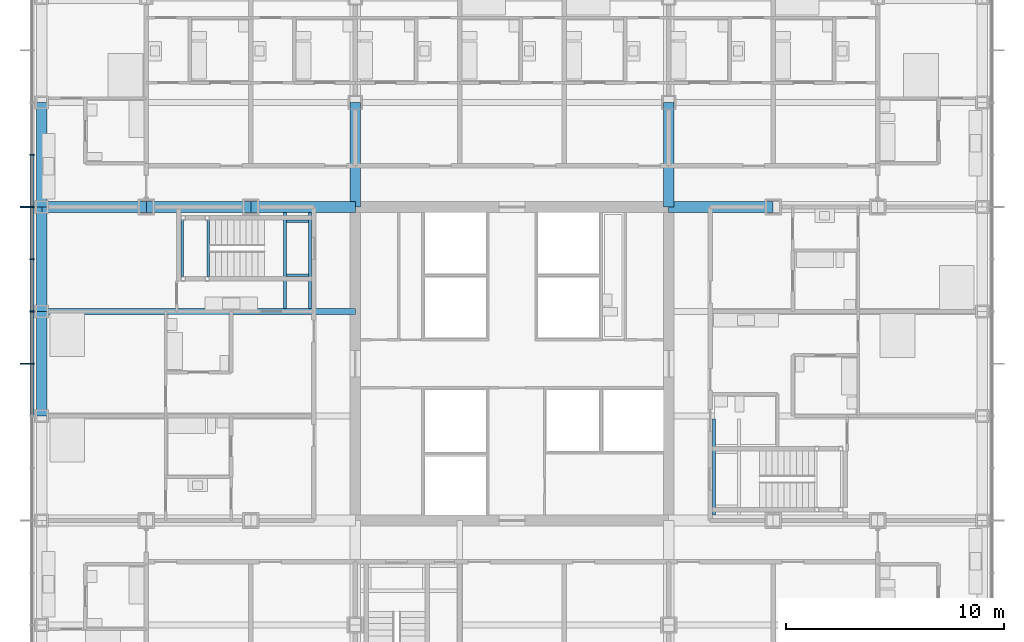
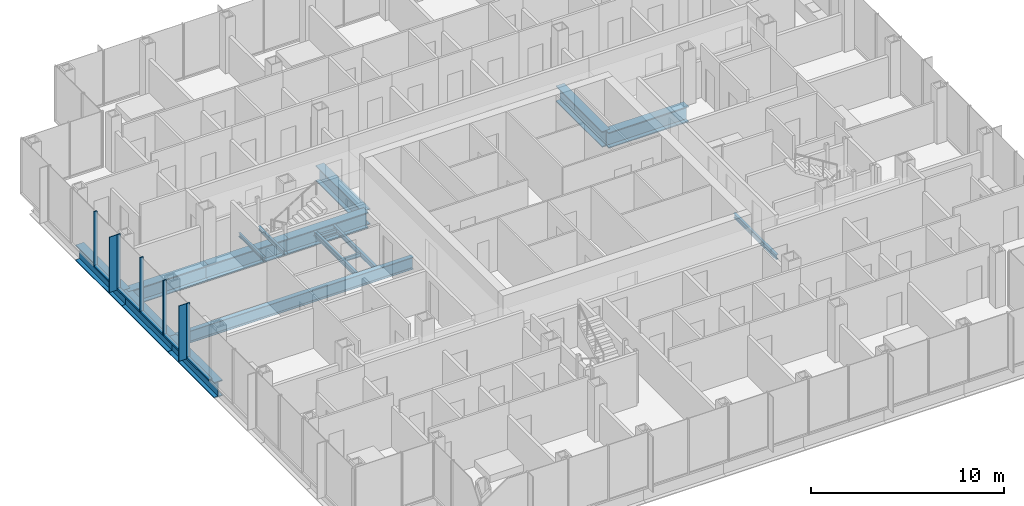
# One storey, part 8 of 22: 17 beams, 12 members, 1 element without a shape of its own.
"""IFC4 building model written with IfcOpenShell, lengths in metres."""

from ifc_helpers import new_model, si_unit, direction, frame, origin, origin_2d, place, context, subcontext, project, spatial, rectangle, i_section, extrude, material, material_profile, profile_set, type_object, element, aggregate, save


model = new_model("IFC4")

# Units and contexts
model_context = context("Model", 3, precision=1e-05, world=origin(), true_north=direction((0.0, 1.0)))
body_context = subcontext(model_context, "Body", "Model", "MODEL_VIEW")
ifc_project = project(units=[si_unit("LENGTHUNIT", "METRE"), si_unit("AREAUNIT", "SQUARE_METRE"), si_unit("VOLUMEUNIT", "CUBIC_METRE"), si_unit("PLANEANGLEUNIT", "RADIAN"), si_unit("MASSUNIT", "GRAM", prefix="KILO")], contexts=[model_context])

# Site, building, storey
site_placement = place(None, origin())
site = spatial("IfcSite", under=ifc_project, at=site_placement, CompositionType="ELEMENT")
building_placement = place(site_placement, origin())
building = spatial("IfcBuilding", under=site, at=building_placement, Name="Kvirike Care Tower", CompositionType="ELEMENT")
storey_placement = place(building_placement, frame((0.0, 0.0, 69.0)))
storey = spatial("IfcBuildingStorey", under=building, at=storey_placement, Name="L18", CompositionType="ELEMENT", Elevation=69.0)

# Curtain wall, members
ifc_material_1 = material(Name="Anodised aluminium stick system", Category="aluminium")
curtain_wall_type = type_object("IfcCurtainWallType", Name="CW-A STICK CURTAIN WALL", PredefinedType="NOTDEFINED", material=ifc_material_1)
curtain_wall_placement = place(storey_placement, origin())
curtain_wall = element("IfcCurtainWall", 1, at=curtain_wall_placement, inside=storey, type_object=curtain_wall_type, Name="Curtain wall L18 face 1", PredefinedType="NOTDEFINED")
ifc_material_2 = material(Name="Bronze anodised aluminium fin", Category="aluminium")
ifc_material_profile_1 = material_profile(ifc_material_2, rectangle(XDim=0.050048828125, YDim=0.449951171875, at=origin_2d()), Name="BRONZE FIN 450")
ifc_profile_set_1 = profile_set([ifc_material_profile_1], Name="Bronze anodised aluminium fin")
member_type_1 = type_object("IfcMemberType", Name="BRONZE FIN 450", PredefinedType="USERDEFINED", material=ifc_profile_set_1)
member_1_placement = place(storey_placement, frame((-0.77490234375, 43.199951171875, 0.0), z_axis=(0.0, 0.0, 1.0), x_axis=(0.0, -1.0, 0.0)))
member_1 = element("IfcMember", 2, at=member_1_placement, type_object=member_type_1, Name="Bronze fin L18 face 1.5", ObjectType="FIN", PredefinedType="USERDEFINED", context=body_context, shape_type="SweptSolid", body=[
    extrude(rectangle(XDim=0.050048828125, YDim=0.449951171875, at=origin_2d()), origin(), (0.0, 0.0, 1.0), 3.5),
])
member_2_placement = place(storey_placement, frame((-0.77490234375, 36.0, 0.0), z_axis=(0.0, 0.0, 1.0), x_axis=(0.0, -1.0, 0.0)))
member_2 = element("IfcMember", 3, at=member_2_placement, type_object=member_type_1, Name="Bronze fin L18 face 1.8", ObjectType="FIN", PredefinedType="USERDEFINED", context=body_context, shape_type="SweptSolid", body=[
    extrude(rectangle(XDim=0.050048828125, YDim=0.449951171875, at=origin_2d()), origin(), (0.0, 0.0, 1.0), 3.5),
])
ifc_material_3 = material(Name="Bronze anodised aluminium mullion", Category="aluminium")
ifc_material_profile_2 = material_profile(ifc_material_3, rectangle(XDim=0.06494140625, YDim=0.199951171875, at=origin_2d()), Name="CW-A MULLION 65x200")
ifc_profile_set_2 = profile_set([ifc_material_profile_2], Name="Bronze anodised aluminium mullion")
member_type_2 = type_object("IfcMemberType", Name="CW-A MULLION 65x200", PredefinedType="MULLION", material=ifc_profile_set_2)
member_3_placement = place(storey_placement, frame((-0.449951171875, 45.60009765625, 0.0), z_axis=(0.0, 0.0, 1.0), x_axis=(0.0, -1.0, 0.0)))
member_3 = element("IfcMember", 4, at=member_3_placement, type_object=member_type_2, Name="CW-A mullion L18 face 1.4", PredefinedType="MULLION", context=body_context, shape_type="SweptSolid", body=[
    extrude(rectangle(XDim=0.06494140625, YDim=0.199951171875, at=origin_2d()), origin(), (0.0, 0.0, 1.0), 3.5),
])
member_4_placement = place(storey_placement, frame((-0.449951171875, 43.199951171875, 0.0), z_axis=(0.0, 0.0, 1.0), x_axis=(0.0, -1.0, 0.0)))
member_4 = element("IfcMember", 5, at=member_4_placement, type_object=member_type_2, Name="CW-A mullion L18 face 1.5", PredefinedType="MULLION", context=body_context, shape_type="SweptSolid", body=[
    extrude(rectangle(XDim=0.06494140625, YDim=0.199951171875, at=origin_2d()), origin(), (0.0, 0.0, 1.0), 3.5),
])
member_5_placement = place(storey_placement, frame((-0.449951171875, 40.800048828125, 0.0), z_axis=(0.0, 0.0, 1.0), x_axis=(0.0, -1.0, 0.0)))
member_5 = element("IfcMember", 6, at=member_5_placement, type_object=member_type_2, Name="CW-A mullion L18 face 1.6", PredefinedType="MULLION", context=body_context, shape_type="SweptSolid", body=[
    extrude(rectangle(XDim=0.06494140625, YDim=0.199951171875, at=origin_2d()), origin(), (0.0, 0.0, 1.0), 3.5),
])
member_6_placement = place(storey_placement, frame((-0.449951171875, 38.39990234375, 0.0), z_axis=(0.0, 0.0, 1.0), x_axis=(0.0, -1.0, 0.0)))
member_6 = element("IfcMember", 7, at=member_6_placement, type_object=member_type_2, Name="CW-A mullion L18 face 1.7", PredefinedType="MULLION", context=body_context, shape_type="SweptSolid", body=[
    extrude(rectangle(XDim=0.06494140625, YDim=0.199951171875, at=origin_2d()), origin(), (0.0, 0.0, 1.0), 3.5),
])
member_7_placement = place(storey_placement, frame((-0.449951171875, 36.0, 0.0), z_axis=(0.0, 0.0, 1.0), x_axis=(0.0, -1.0, 0.0)))
member_7 = element("IfcMember", 8, at=member_7_placement, type_object=member_type_2, Name="CW-A mullion L18 face 1.8", PredefinedType="MULLION", context=body_context, shape_type="SweptSolid", body=[
    extrude(rectangle(XDim=0.06494140625, YDim=0.199951171875, at=origin_2d()), origin(), (0.0, 0.0, 1.0), 3.5),
])
ifc_material_4 = material(Name="Bronze anodised aluminium transom", Category="aluminium")
ifc_material_profile_3 = material_profile(ifc_material_4, rectangle(XDim=0.199951171875, YDim=0.10009765625, at=origin_2d()), Name="CW-A TRANSOM 200x100")
ifc_profile_set_3 = profile_set([ifc_material_profile_3], Name="Bronze anodised aluminium transom")
member_type_3 = type_object("IfcMemberType", Name="CW-A TRANSOM 200x100", PredefinedType="USERDEFINED", material=ifc_profile_set_3)
member_8_placement = place(storey_placement, frame((-0.449951171875, 45.5673828125, 0.050048828125), z_axis=(0.0, -1.0, 0.0), x_axis=(1.0, 0.0, 0.0)))
member_8 = element("IfcMember", 9, at=member_8_placement, type_object=member_type_3, Name="CW-A sill transom L18 face 1.4", ObjectType="TRANSOM", PredefinedType="USERDEFINED", context=body_context, shape_type="SweptSolid", body=[
    extrude(rectangle(XDim=0.199951171875, YDim=0.10009765625, at=origin_2d()), origin(), (0.0, 0.0, 1.0), 2.3349609375),
])
member_9_placement = place(storey_placement, frame((-0.449951171875, 43.16748046875, 0.050048828125), z_axis=(0.0, -1.0, 0.0), x_axis=(1.0, 0.0, 0.0)))
member_9 = element("IfcMember", 10, at=member_9_placement, type_object=member_type_3, Name="CW-A sill transom L18 face 1.5", ObjectType="TRANSOM", PredefinedType="USERDEFINED", context=body_context, shape_type="SweptSolid", body=[
    extrude(rectangle(XDim=0.199951171875, YDim=0.10009765625, at=origin_2d()), origin(), (0.0, 0.0, 1.0), 2.3349609375),
])
member_10_placement = place(storey_placement, frame((-0.449951171875, 40.767578125, 0.050048828125), z_axis=(0.0, -1.0, 0.0), x_axis=(1.0, 0.0, 0.0)))
member_10 = element("IfcMember", 11, at=member_10_placement, type_object=member_type_3, Name="CW-A sill transom L18 face 1.6", ObjectType="TRANSOM", PredefinedType="USERDEFINED", context=body_context, shape_type="SweptSolid", body=[
    extrude(rectangle(XDim=0.199951171875, YDim=0.10009765625, at=origin_2d()), origin(), (0.0, 0.0, 1.0), 2.3349609375),
])
member_11_placement = place(storey_placement, frame((-0.449951171875, 38.367431640625, 0.050048828125), z_axis=(0.0, -1.0, 0.0), x_axis=(1.0, 0.0, 0.0)))
member_11 = element("IfcMember", 12, at=member_11_placement, type_object=member_type_3, Name="CW-A sill transom L18 face 1.7", ObjectType="TRANSOM", PredefinedType="USERDEFINED", context=body_context, shape_type="SweptSolid", body=[
    extrude(rectangle(XDim=0.199951171875, YDim=0.10009765625, at=origin_2d()), origin(), (0.0, 0.0, 1.0), 2.3349609375),
])
member_12_placement = place(storey_placement, frame((-0.449951171875, 35.967529296875, 0.050048828125), z_axis=(0.0, -1.0, 0.0), x_axis=(1.0, 0.0, 0.0)))
member_12 = element("IfcMember", 13, at=member_12_placement, type_object=member_type_3, Name="CW-A sill transom L18 face 1.8", ObjectType="TRANSOM", PredefinedType="USERDEFINED", context=body_context, shape_type="SweptSolid", body=[
    extrude(rectangle(XDim=0.199951171875, YDim=0.10009765625, at=origin_2d()), origin(), (0.0, 0.0, 1.0), 2.3349609375),
])
aggregate(curtain_wall, [member_3, member_4, member_1, member_5, member_6, member_7, member_2, member_8, member_9, member_10, member_11, member_12])

# Beams
ifc_material_5 = material(Name="Steel S355", Category="steel")
ifc_material_profile_4 = material_profile(ifc_material_5, i_section(OverallWidth=0.26806640625, OverallDepth=0.77001953125, WebThickness=0.015625, FlangeThickness=0.025390625, FilletRadius=0.01708984375, at=origin_2d()), Name="IPE 750x196")
ifc_profile_set_4 = profile_set([ifc_material_profile_4], Name="Steel S355")
beam_type_1 = type_object("IfcBeamType", Name="FLOOR BEAM IPE 750x196", PredefinedType="BEAM", material=ifc_profile_set_4)
beam_1_placement = place(storey_placement, frame((0.0, 38.39990234375, -0.554931640625), z_axis=(1.0, 0.0, 0.0), x_axis=(0.0, 1.0, 0.0)))
element("IfcBeam", 14, at=beam_1_placement, inside=storey, type_object=beam_type_1, Name="Floor Beam J3-J6 L18", PredefinedType="BEAM", context=body_context, shape_type="SweptSolid", body=[
    extrude(i_section(OverallWidth=0.26806640625, OverallDepth=0.77001953125, WebThickness=0.015625, FlangeThickness=0.025390625, FilletRadius=0.01708984375, at=origin_2d()), origin(), (0.0, 0.0, 1.0), 14.39990234375),
])
ifc_material_6 = material(Name="Steel S355", Category="steel")
ifc_material_profile_5 = material_profile(ifc_material_6, i_section(OverallWidth=0.5, OverallDepth=1.0, WebThickness=0.030029296875, FlangeThickness=0.06005859375, at=origin_2d()), Name="PG 1000x500x30x60")
ifc_profile_set_5 = profile_set([ifc_material_profile_5], Name="Steel S355")
beam_type_2 = type_object("IfcBeamType", Name="FRAME BEAM PG 1000x500x30x60", PredefinedType="BEAM", material=ifc_profile_set_5)
for number, where, z_axis, x_axis, name in (
    (15, (0.0, 43.199951171875, -0.669921875), (1.0, 0.0, 0.0), (0.0, 1.0, 0.0), "Frame Beam K3-K4 L18"),
    (16, (4.800048828125, 43.199951171875, -0.669921875), (1.0, 0.0, 0.0), (0.0, 1.0, 0.0), "Frame Beam K4-K5 L18"),
):
    element("IfcBeam", number, at=place(storey_placement, frame(where, z_axis=z_axis, x_axis=x_axis)), inside=storey, type_object=beam_type_2, Name=name, PredefinedType="BEAM", context=body_context, shape_type="SweptSolid", body=[
        extrude(i_section(OverallWidth=0.5, OverallDepth=1.0, WebThickness=0.030029296875, FlangeThickness=0.06005859375, at=origin_2d()), origin(), (0.0, 0.0, 1.0), 4.800048828125),
    ])
beam_2_placement = place(storey_placement, frame((9.60009765625, 43.199951171875, -0.669921875), z_axis=(1.0, 0.0, 0.0), x_axis=(0.0, 1.0, 0.0)))
element("IfcBeam", 17, at=beam_2_placement, inside=storey, type_object=beam_type_2, Name="Frame Beam K5-K6 L18", PredefinedType="BEAM", context=body_context, shape_type="SweptSolid", body=[
    extrude(i_section(OverallWidth=0.5, OverallDepth=1.0, WebThickness=0.030029296875, FlangeThickness=0.06005859375, at=origin_2d()), origin(), (0.0, 0.0, 1.0), 4.7998046875),
])
for number, where, z_axis, x_axis, name in (
    (18, (28.800048828125, 43.199951171875, -0.669921875), (1.0, 0.0, 0.0), (0.0, 1.0, 0.0), "Frame Beam K9-K10 L18"),
    (19, (14.39990234375, 43.199951171875, -0.669921875), (0.0, 1.0, 0.0), (-1.0, 0.0, 0.0), "Frame Beam K6-L6 L18"),
    (20, (28.800048828125, 43.199951171875, -0.669921875), (0.0, 1.0, 0.0), (-1.0, 0.0, 0.0), "Frame Beam K9-L9 L18"),
):
    element("IfcBeam", number, at=place(storey_placement, frame(where, z_axis=z_axis, x_axis=x_axis)), inside=storey, type_object=beam_type_2, Name=name, PredefinedType="BEAM", context=body_context, shape_type="SweptSolid", body=[
        extrude(i_section(OverallWidth=0.5, OverallDepth=1.0, WebThickness=0.030029296875, FlangeThickness=0.06005859375, at=origin_2d()), origin(), (0.0, 0.0, 1.0), 4.800048828125),
    ])
ifc_material_7 = material(Name="Steel S355", Category="steel")
ifc_material_profile_6 = material_profile(ifc_material_7, i_section(OverallWidth=0.5, OverallDepth=1.0, WebThickness=0.030029296875, FlangeThickness=0.06005859375, at=origin_2d()), Name="PG 1000x500x30x60")
ifc_profile_set_6 = profile_set([ifc_material_profile_6], Name="Steel S355")
beam_type_3 = type_object("IfcBeamType", Name="SPANDREL PG 1000x500x30x60", PredefinedType="SPANDREL", material=ifc_profile_set_6)
beam_3_placement = place(storey_placement, frame((0.0, 33.60009765625, -0.669921875), z_axis=(0.0, 1.0, 0.0), x_axis=(-1.0, 0.0, 0.0)))
element("IfcBeam", 21, at=beam_3_placement, inside=storey, type_object=beam_type_3, Name="Spandrel H3-J3 L18", PredefinedType="SPANDREL", context=body_context, shape_type="SweptSolid", body=[
    extrude(i_section(OverallWidth=0.5, OverallDepth=1.0, WebThickness=0.030029296875, FlangeThickness=0.06005859375, at=origin_2d()), origin(), (0.0, 0.0, 1.0), 4.7998046875),
])
for number, where, z_axis, x_axis, name in (
    (22, (0.0, 38.39990234375, -0.669921875), (0.0, 1.0, 0.0), (-1.0, 0.0, 0.0), "Spandrel J3-K3 L18"),
    (23, (0.0, 43.199951171875, -0.669921875), (0.0, 1.0, 0.0), (-1.0, 0.0, 0.0), "Spandrel K3-L3 L18"),
):
    element("IfcBeam", number, at=place(storey_placement, frame(where, z_axis=z_axis, x_axis=x_axis)), inside=storey, type_object=beam_type_3, Name=name, PredefinedType="SPANDREL", context=body_context, shape_type="SweptSolid", body=[
        extrude(i_section(OverallWidth=0.5, OverallDepth=1.0, WebThickness=0.030029296875, FlangeThickness=0.06005859375, at=origin_2d()), origin(), (0.0, 0.0, 1.0), 4.800048828125),
    ])
ifc_material_8 = material(Name="Steel S355", Category="steel")
ifc_material_profile_7 = material_profile(ifc_material_8, i_section(OverallWidth=0.1201171875, OverallDepth=0.239990234375, WebThickness=0.006103515625, FlangeThickness=0.009765625, FilletRadius=0.014892578125, at=origin_2d()), Name="IPE 240")
ifc_profile_set_7 = profile_set([ifc_material_profile_7], Name="Steel S355")
beam_type_4 = type_object("IfcBeamType", Name="STAIR LANDING BEAM IPE 240", PredefinedType="BEAM", material=ifc_profile_set_7)
for number, where, z_axis, x_axis, name in (
    (24, (6.4599609375, 42.60009765625, 1.429931640625), (0.0, -1.0, 0.0), (1.0, 0.0, 0.0), "Stair 1 landing beam back L18"),
    (25, (7.639892578125, 42.60009765625, 1.429931640625), (0.0, -1.0, 0.0), (1.0, 0.0, 0.0), "Stair 1 landing beam front L18"),
):
    element("IfcBeam", number, at=place(storey_placement, frame(where, z_axis=z_axis, x_axis=x_axis)), inside=storey, type_object=beam_type_4, Name=name, PredefinedType="BEAM", context=body_context, shape_type="SweptSolid", body=[
        extrude(i_section(OverallWidth=0.1201171875, OverallDepth=0.239990234375, WebThickness=0.006103515625, FlangeThickness=0.009765625, FilletRadius=0.014892578125, at=origin_2d()), origin(), (0.0, 0.0, 1.0), 2.60009765625),
    ])
for number, where, z_axis, x_axis, name in (
    (26, (11.25, 42.5400390625, -0.320068359375), (1.0, 0.0, 0.0), (0.0, 1.0, 0.0), "Stair 1 landing edge beam 1 L18"),
    (27, (11.25, 40.06005859375, -0.320068359375), (1.0, 0.0, 0.0), (0.0, 1.0, 0.0), "Stair 1 landing edge beam 2 L18"),
):
    element("IfcBeam", number, at=place(storey_placement, frame(where, z_axis=z_axis, x_axis=x_axis)), inside=storey, type_object=beam_type_4, Name=name, PredefinedType="BEAM", context=body_context, shape_type="SweptSolid", body=[
        extrude(i_section(OverallWidth=0.1201171875, OverallDepth=0.239990234375, WebThickness=0.006103515625, FlangeThickness=0.009765625, FilletRadius=0.014892578125, at=origin_2d()), origin(), (0.0, 0.0, 1.0), 1.0),
    ])
ifc_material_9 = material(Name="Steel S355", Category="steel")
ifc_material_profile_8 = material_profile(ifc_material_9, i_section(OverallWidth=0.14990234375, OverallDepth=0.300048828125, WebThickness=0.007080078125, FlangeThickness=0.0107421875, FilletRadius=0.014892578125, at=origin_2d()), Name="IPE 300")
ifc_profile_set_8 = profile_set([ifc_material_profile_8], Name="Steel S355")
beam_type_5 = type_object("IfcBeamType", Name="STAIR TRIMMER IPE 300", PredefinedType="BEAM", material=ifc_profile_set_8)
for number, where, z_axis, x_axis, name in (
    (28, (11.175048828125, 42.949951171875, -0.35009765625), (0.0, -1.0, 0.0), (1.0, 0.0, 0.0), "Stair 1 trimmer 1 L18"),
    (29, (12.324951171875, 42.949951171875, -0.35009765625), (0.0, -1.0, 0.0), (1.0, 0.0, 0.0), "Stair 1 trimmer 2 L18"),
    (30, (30.875, 29.050048828125, -0.35009765625), (0.0, 1.0, 0.0), (-1.0, 0.0, 0.0), "Stair 2 trimmer 2 L18"),
):
    element("IfcBeam", number, at=place(storey_placement, frame(where, z_axis=z_axis, x_axis=x_axis)), inside=storey, type_object=beam_type_5, Name=name, PredefinedType="BEAM", context=body_context, shape_type="SweptSolid", body=[
        extrude(i_section(OverallWidth=0.14990234375, OverallDepth=0.300048828125, WebThickness=0.007080078125, FlangeThickness=0.0107421875, FilletRadius=0.014892578125, at=origin_2d()), origin(), (0.0, 0.0, 1.0), 4.416015625),
    ])

save(model, "model.ifc")
